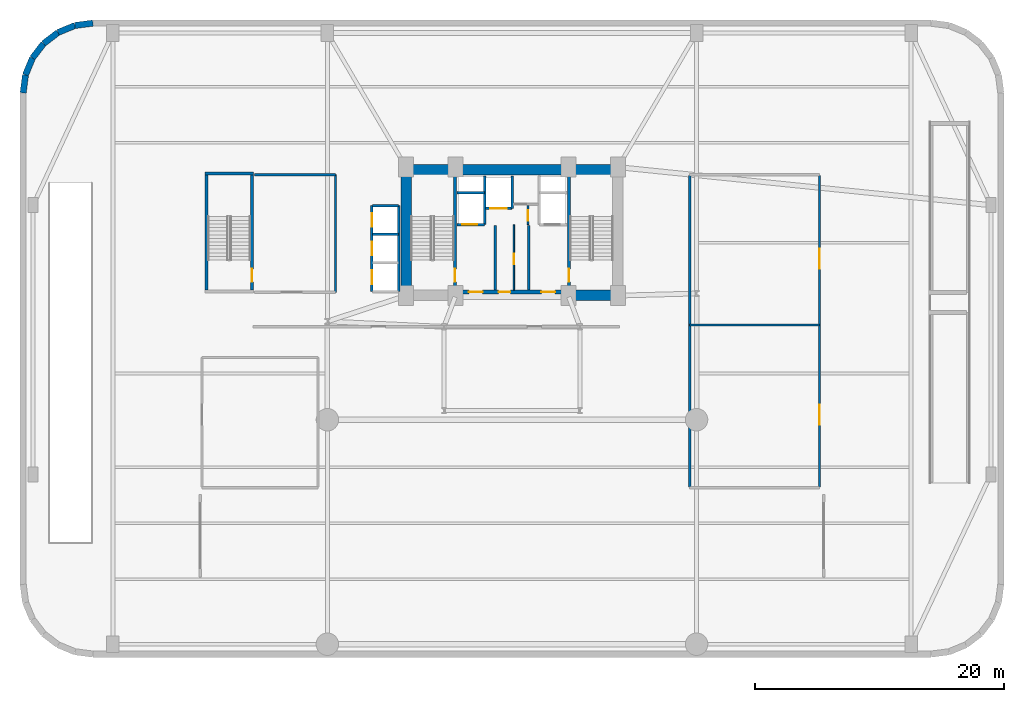
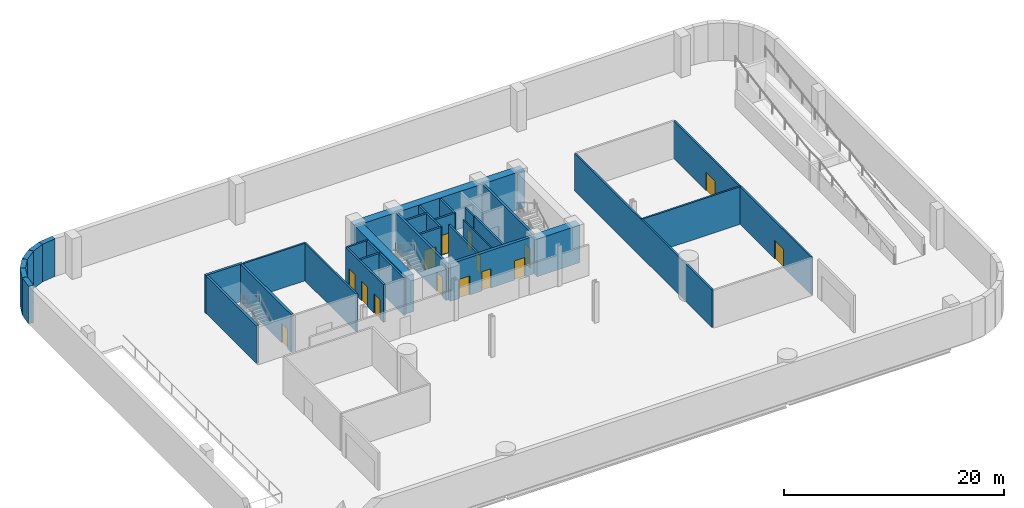
# One storey, part 3 of 8: 33 walls, 15 doors, 15 openings.
"""IFC4 building model written with IfcOpenShell, lengths in metres."""

from ifc_helpers import new_model, si_unit, direction, frame, frame_2d, origin, place, context, subcontext, project, spatial, rectangle, extrude, material, layer, layer_set, type_object, element, fill, save


model = new_model("IFC4")

# Units and contexts
model_context = context("Model", 3, precision=1e-05, world=origin(), true_north=direction((0.0, 1.0)))
body_context = subcontext(model_context, "Body", "Model", "MODEL_VIEW")
ifc_project = project(units=[si_unit("LENGTHUNIT", "METRE"), si_unit("AREAUNIT", "SQUARE_METRE"), si_unit("VOLUMEUNIT", "CUBIC_METRE"), si_unit("PLANEANGLEUNIT", "RADIAN"), si_unit("MASSUNIT", "GRAM", prefix="KILO")], contexts=[model_context])

# Site, building, storey
site_placement = place(None, origin())
site = spatial("IfcSite", under=ifc_project, at=site_placement, CompositionType="ELEMENT")
building_placement = place(site_placement, origin())
building = spatial("IfcBuilding", under=site, at=building_placement, Name="Varnelok Gate Tower", CompositionType="ELEMENT")
storey_placement = place(building_placement, frame((0.0, 0.0, -4.5)))
storey = spatial("IfcBuildingStorey", under=building, at=storey_placement, Name="B01", CompositionType="ELEMENT", Elevation=-4.5)

# Walls
ifc_material_1 = material(Name="Gypsum Plasterboard Acoustic Partition", Category="gypsum")
ifc_layer_1 = layer(ifc_material_1, 0.179931640625)
ifc_layer_set_1 = layer_set([ifc_layer_1], Name="Gypsum Plasterboard Acoustic Partition")
wall_type_1 = type_object("IfcWallType", Name="PW-CORR-180", PredefinedType="PARTITIONING", material=ifc_layer_set_1)
wall_1_placement = place(storey_placement, frame((25.050048828125, 29.02001953125, 0.0), z_axis=(0.0, 0.0, 1.0), x_axis=(0.0, 1.0, 0.0)))
element("IfcWall", 1, at=wall_1_placement, inside=storey, type_object=wall_type_1, Name="Interior Partition", PredefinedType="PARTITIONING", context=body_context, shape_type="SweptSolid", body=[
    extrude(rectangle(XDim=9.429931640625, YDim=0.179931640625, at=frame_2d((4.71484375, 0.0))), origin(), (0.0, 0.0, 1.0), 4.179931640625),
])
wall_2_placement = place(storey_placement, frame((18.550048828125, 38.449951171875, 0.0), z_axis=(0.0, 0.0, 1.0), x_axis=(1.0, 0.0, 0.0)))
element("IfcWall", 2, at=wall_2_placement, inside=storey, type_object=wall_type_1, Name="Interior Partition", PredefinedType="PARTITIONING", context=body_context, shape_type="SweptSolid", body=[
    extrude(rectangle(XDim=6.5, YDim=0.179931640625, at=frame_2d((3.25, 0.0))), origin(), (0.0, 0.0, 1.0), 4.179931640625),
])

# Wall, openings, doors
wall_3_placement = place(storey_placement, frame((63.85009765625, 13.39990234375, 0.0), z_axis=(0.0, 0.0, 1.0), x_axis=(0.0, 1.0, 0.0)))
wall_3 = element("IfcWall", 3, at=wall_3_placement, inside=storey, type_object=wall_type_1, Name="Interior Partition", PredefinedType="PARTITIONING", context=body_context, shape_type="SweptSolid", body=[
    extrude(rectangle(XDim=25.0, YDim=0.179931640625, at=frame_2d((12.5, 0.0))), origin(), (0.0, 0.0, 1.0), 4.179931640625),
])
opening_1_placement = place(wall_3_placement, frame((5.0, 0.0, 0.0)))
opening_1 = element("IfcOpeningElement", 4, at=opening_1_placement, cuts=wall_3, Name="Opening D-PL", PredefinedType="OPENING", context=body_context, shape_type="SweptSolid", body=[
    extrude(rectangle(XDim=1.60009765625, YDim=2.050048828125, at=frame_2d((0.800048828125, 1.02490234375))), frame((0.0, 0.099853515625, 0.0), z_axis=(0.0, -1.0, 0.0), x_axis=(1.0, 0.0, 0.0)), (0.0, 0.0, 1.0), 0.199951171875),
])
opening_2_placement = place(wall_3_placement, frame((17.5, 0.0, 0.0)))
opening_2 = element("IfcOpeningElement", 5, at=opening_2_placement, cuts=wall_3, Name="Opening D-PL", PredefinedType="OPENING", context=body_context, shape_type="SweptSolid", body=[
    extrude(rectangle(XDim=1.60009765625, YDim=2.050048828125, at=frame_2d((0.800048828125, 1.02490234375))), frame((0.0, 0.099853515625, 0.0), z_axis=(0.0, -1.0, 0.0), x_axis=(1.0, 0.0, 0.0)), (0.0, 0.0, 1.0), 0.199951171875),
])
ifc_material_2 = material(Name="Galvanized Steel Grade S350GD", Category="steel")
door_type_1 = type_object("IfcDoorType", Name="DR-PLANT-1600", OperationType="DOUBLE_DOOR_SINGLE_SWING", PredefinedType="DOOR", material=ifc_material_2)
door_1_placement = place(opening_1_placement, origin())
door_1 = element("IfcDoor", 6, at=door_1_placement, inside=storey, type_object=door_type_1, Name="B01 Substation Door", OperationType="DOUBLE_DOOR_SINGLE_SWING", OverallHeight=2.050048828125, OverallWidth=1.60009765625, PredefinedType="DOOR", context=body_context, shape_type="SweptSolid", body=[
    extrude(rectangle(XDim=1.60009765625, YDim=2.050048828125, at=frame_2d((0.800048828125, 1.02490234375))), frame((0.0, 0.02490234375, 0.0), z_axis=(0.0, -1.0, 0.0), x_axis=(1.0, 0.0, 0.0)), (0.0, 0.0, 1.0), 0.050048828125),
])
fill(opening_1, door_1)
door_2_placement = place(opening_2_placement, origin())
door_2 = element("IfcDoor", 7, at=door_2_placement, inside=storey, type_object=door_type_1, Name="B01 Generator Room Door", OperationType="DOUBLE_DOOR_SINGLE_SWING", OverallHeight=2.050048828125, OverallWidth=1.60009765625, PredefinedType="DOOR", context=body_context, shape_type="SweptSolid", body=[
    extrude(rectangle(XDim=1.60009765625, YDim=2.050048828125, at=frame_2d((0.800048828125, 1.02490234375))), frame((0.0, 0.02490234375, 0.0), z_axis=(0.0, -1.0, 0.0), x_axis=(1.0, 0.0, 0.0)), (0.0, 0.0, 1.0), 0.050048828125),
])
fill(opening_2, door_2)

# Walls
wall_4_placement = place(storey_placement, frame((53.449951171875, 26.39990234375, 0.0), z_axis=(0.0, 0.0, 1.0), x_axis=(1.0, 0.0, 0.0)))
element("IfcWall", 8, at=wall_4_placement, inside=storey, type_object=wall_type_1, Name="Interior Partition", PredefinedType="PARTITIONING", context=body_context, shape_type="SweptSolid", body=[
    extrude(rectangle(XDim=10.400146484375, YDim=0.179931640625, at=frame_2d((5.2001953125, 0.0))), origin(), (0.0, 0.0, 1.0), 4.179931640625),
])
wall_5_placement = place(storey_placement, frame((53.449951171875, 13.39990234375, 0.0), z_axis=(0.0, 0.0, 1.0), x_axis=(0.0, 1.0, 0.0)))
element("IfcWall", 9, at=wall_5_placement, inside=storey, type_object=wall_type_1, Name="Interior Partition", PredefinedType="PARTITIONING", context=body_context, shape_type="SweptSolid", body=[
    extrude(rectangle(XDim=25.0, YDim=0.179931640625, at=frame_2d((12.5, 0.0))), origin(), (0.0, 0.0, 1.0), 4.179931640625),
])

# Wall, opening, door
ifc_layer_2 = layer(ifc_material_1, 0.125)
ifc_layer_set_2 = layer_set([ifc_layer_2], Name="Gypsum Plasterboard Acoustic Partition")
wall_type_2 = type_object("IfcWallType", Name="PW-PART-125", PredefinedType="PARTITIONING", material=ifc_layer_set_2)
wall_6_placement = place(storey_placement, frame((39.35009765625, 29.199951171875, 0.0), z_axis=(0.0, 0.0, 1.0), x_axis=(0.0, 1.0, 0.0)))
wall_6 = element("IfcWall", 10, at=wall_6_placement, inside=storey, type_object=wall_type_2, Name="Interior Partition", PredefinedType="PARTITIONING", context=body_context, shape_type="SweptSolid", body=[
    extrude(rectangle(XDim=5.219970703125, YDim=0.125, at=frame_2d((2.60986328125, 0.0))), origin(), (0.0, 0.0, 1.0), 4.179931640625),
])
opening_3_placement = place(wall_6_placement, frame((2.050048828125, 0.0, 0.0)))
opening_3 = element("IfcOpeningElement", 11, at=opening_3_placement, cuts=wall_6, Name="Opening D-RS", PredefinedType="OPENING", context=body_context, shape_type="SweptSolid", body=[
    extrude(rectangle(XDim=0.85009765625, YDim=2.050048828125, at=frame_2d((0.425048828125, 1.02490234375))), frame((0.0, 0.072509765625, 0.0), z_axis=(0.0, -1.0, 0.0), x_axis=(1.0, 0.0, 0.0)), (0.0, 0.0, 1.0), 0.14501953125),
])
door_type_2 = type_object("IfcDoorType", Name="DR-RISER-850", OperationType="NOTDEFINED", PredefinedType="DOOR", material=ifc_material_2)
door_3_placement = place(opening_3_placement, origin())
door_3 = element("IfcDoor", 12, at=door_3_placement, inside=storey, type_object=door_type_2, Name="B01 Housekeeping Linen Door", OperationType="SINGLE_SWING_RIGHT", OverallHeight=2.050048828125, OverallWidth=0.85009765625, PredefinedType="DOOR", context=body_context, shape_type="SweptSolid", body=[
    extrude(rectangle(XDim=0.85009765625, YDim=2.050048828125, at=frame_2d((0.425048828125, 1.02490234375))), frame((0.0, 0.02490234375, 0.0), z_axis=(0.0, -1.0, 0.0), x_axis=(1.0, 0.0, 0.0)), (0.0, 0.0, 1.0), 0.050048828125),
])
fill(opening_3, door_3)

ifc_layer_3 = layer(ifc_material_1, 0.14990234375)
ifc_layer_set_3 = layer_set([ifc_layer_3], Name="Gypsum Plasterboard Acoustic Partition")
wall_type_3 = type_object("IfcWallType", Name="PW-PART-150", PredefinedType="PARTITIONING", material=ifc_layer_set_3)
wall_7_placement = place(storey_placement, frame((40.47998046875, 34.43994140625, 0.0), z_axis=(0.0, 0.0, 1.0), x_axis=(0.0, 1.0, 0.0)))
wall_7 = element("IfcWall", 13, at=wall_7_placement, inside=storey, type_object=wall_type_3, Name="B01 Telecoms Closet West Wall", PredefinedType="PARTITIONING", context=body_context, shape_type="SweptSolid", body=[
    extrude(rectangle(XDim=1.52001953125, YDim=0.14990234375, at=frame_2d((0.760009765625, 0.0))), origin(), (0.0, 0.0, 1.0), 4.179931640625),
])
opening_4_placement = place(wall_7_placement, frame((0.320068359375, 0.0, 0.0)))
opening_4 = element("IfcOpeningElement", 14, at=opening_4_placement, cuts=wall_7, Name="Opening D-RS", PredefinedType="OPENING", context=body_context, shape_type="SweptSolid", body=[
    extrude(rectangle(XDim=0.85009765625, YDim=2.050048828125, at=frame_2d((0.425048828125, 1.02490234375))), frame((0.0, 0.0849609375, 0.0), z_axis=(0.0, -1.0, 0.0), x_axis=(1.0, 0.0, 0.0)), (0.0, 0.0, 1.0), 0.169921875),
])
door_4_placement = place(opening_4_placement, origin())
door_4 = element("IfcDoor", 15, at=door_4_placement, inside=storey, type_object=door_type_2, Name="B01 Telecoms Closet Door", OperationType="SINGLE_SWING_LEFT", OverallHeight=2.050048828125, OverallWidth=0.85009765625, PredefinedType="DOOR", context=body_context, shape_type="SweptSolid", body=[
    extrude(rectangle(XDim=0.85009765625, YDim=2.050048828125, at=frame_2d((0.425048828125, 1.02490234375))), frame((0.0, 0.02490234375, 0.0), z_axis=(0.0, -1.0, 0.0), x_axis=(1.0, 0.0, 0.0)), (0.0, 0.0, 1.0), 0.050048828125),
])
fill(opening_4, door_4)

# Walls
ifc_material_3 = material(Name="Concrete C35/45", Category="concrete")
ifc_layer_4 = layer(ifc_material_3, 0.199951171875)
ifc_layer_set_4 = layer_set([ifc_layer_4], Name="Concrete C35/45")
wall_type_4 = type_object("IfcWallType", Name="PW-SHAFT-200", PredefinedType="PARTITIONING", material=ifc_layer_set_4)
for number, where, z_axis, x_axis, name in (
    (16, (37.860107421875, 29.199951171875, 0.0), (0.0, 0.0, 1.0), (0.0, 1.0, 0.0), "B01 West FF Lobby Rated Wall"),
    (17, (40.5400390625, 29.199951171875, 0.0), (0.0, 0.0, 1.0), (0.0, 1.0, 0.0), "B01 East FF Lobby Rated Wall"),
):
    element("IfcWall", number, at=place(storey_placement, frame(where, z_axis=z_axis, x_axis=x_axis)), inside=storey, type_object=wall_type_4, Name=name, PredefinedType="PARTITIONING", context=body_context, shape_type="SweptSolid", body=[
        extrude(rectangle(XDim=5.179931640625, YDim=0.199951171875, at=frame_2d((2.58984375, 0.0))), origin(), (0.0, 0.0, 1.0), 4.179931640625),
    ])

# Wall, opening, door
wall_8_placement = place(storey_placement, frame((34.800048828125, 34.43994140625, 0.0), z_axis=(0.0, 0.0, 1.0), x_axis=(1.0, 0.0, 0.0)))
wall_8 = element("IfcWall", 18, at=wall_8_placement, inside=storey, type_object=wall_type_4, Name="B01 FF1 Shaft Front Wall", PredefinedType="PARTITIONING", context=body_context, shape_type="SweptSolid", body=[
    extrude(rectangle(XDim=2.179931640625, YDim=0.199951171875, at=frame_2d((1.08984375, 0.0))), origin(), (0.0, 0.0, 1.0), 4.179931640625),
])
opening_5_placement = place(wall_8_placement, frame((0.419921875, 0.0, 0.0)))
opening_5 = element("IfcOpeningElement", 19, at=opening_5_placement, cuts=wall_8, Name="Opening LD-FF1", PredefinedType="OPENING", context=body_context, shape_type="SweptSolid", body=[
    extrude(rectangle(XDim=1.199951171875, YDim=2.199951171875, at=frame_2d((0.60009765625, 1.10009765625))), frame((0.0, 0.10986328125, 0.0), z_axis=(0.0, -1.0, 0.0), x_axis=(1.0, 0.0, 0.0)), (0.0, 0.0, 1.0), 0.219970703125),
])
door_type_3 = type_object("IfcDoorType", Name="DR-LIFT-FF1200", OperationType="SLIDING_TO_LEFT", PredefinedType="DOOR", material=ifc_material_2)
door_5_placement = place(opening_5_placement, origin())
door_5 = element("IfcDoor", 20, at=door_5_placement, inside=storey, type_object=door_type_3, Name="B01 Firefighting Lift Landing Door LD-FF1", OperationType="SLIDING_TO_LEFT", OverallHeight=2.199951171875, OverallWidth=1.199951171875, PredefinedType="DOOR", context=body_context, shape_type="SweptSolid", body=[
    extrude(rectangle(XDim=1.199951171875, YDim=2.199951171875, at=frame_2d((0.60009765625, 1.10009765625))), frame((0.0, 0.02490234375, 0.0), z_axis=(0.0, -1.0, 0.0), x_axis=(1.0, 0.0, 0.0)), (0.0, 0.0, 1.0), 0.050048828125),
])
fill(opening_5, door_5)

# Walls
wall_9_placement = place(storey_placement, frame((34.800048828125, 36.97998046875, 0.0), z_axis=(0.0, 0.0, 1.0), x_axis=(1.0, 0.0, 0.0)))
element("IfcWall", 21, at=wall_9_placement, inside=storey, type_object=wall_type_4, Name="B01 FF1 Shaft North Wall", PredefinedType="PARTITIONING", context=body_context, shape_type="SweptSolid", body=[
    extrude(rectangle(XDim=2.179931640625, YDim=0.199951171875, at=frame_2d((1.08984375, 0.0))), origin(), (0.0, 0.0, 1.0), 4.179931640625),
])
wall_10_placement = place(storey_placement, frame((37.0, 34.43994140625, 0.0), z_axis=(0.0, 0.0, 1.0), x_axis=(0.0, 1.0, 0.0)))
element("IfcWall", 22, at=wall_10_placement, inside=storey, type_object=wall_type_4, Name="B01 FF1 Shaft Side Wall", PredefinedType="PARTITIONING", context=body_context, shape_type="SweptSolid", body=[
    extrude(rectangle(XDim=3.900146484375, YDim=0.199951171875, at=frame_2d((1.9501953125, 0.0))), origin(), (0.0, 0.0, 1.0), 4.179931640625),
])

# Wall, opening, door
wall_11_placement = place(storey_placement, frame((37.06005859375, 35.75, 0.0), z_axis=(0.0, 0.0, 1.0), x_axis=(1.0, 0.0, 0.0)))
wall_11 = element("IfcWall", 23, at=wall_11_placement, inside=storey, type_object=wall_type_4, Name="B01 SV1 Shaft Front Wall", PredefinedType="PARTITIONING", context=body_context, shape_type="SweptSolid", body=[
    extrude(rectangle(XDim=2.119873046875, YDim=0.199951171875, at=frame_2d((1.06005859375, 0.0))), origin(), (0.0, 0.0, 1.0), 4.179931640625),
])
opening_6_placement = place(wall_11_placement, frame((0.39990234375, 0.0, 0.0)))
opening_6 = element("IfcOpeningElement", 24, at=opening_6_placement, cuts=wall_11, Name="Opening LD-SV1", PredefinedType="OPENING", context=body_context, shape_type="SweptSolid", body=[
    extrude(rectangle(XDim=1.300048828125, YDim=2.199951171875, at=frame_2d((0.64990234375, 1.10009765625))), frame((0.0, 0.10986328125, 0.0), z_axis=(0.0, -1.0, 0.0), x_axis=(1.0, 0.0, 0.0)), (0.0, 0.0, 1.0), 0.219970703125),
])
door_type_4 = type_object("IfcDoorType", Name="DR-LIFT-SV1300", OperationType="SLIDING_TO_LEFT", PredefinedType="DOOR", material=ifc_material_2)
door_6_placement = place(opening_6_placement, origin())
door_6 = element("IfcDoor", 25, at=door_6_placement, inside=storey, type_object=door_type_4, Name="B01 Service Lift Landing Door LD-SV1", OperationType="SLIDING_TO_LEFT", OverallHeight=2.199951171875, OverallWidth=1.300048828125, PredefinedType="DOOR", context=body_context, shape_type="SweptSolid", body=[
    extrude(rectangle(XDim=1.300048828125, YDim=2.199951171875, at=frame_2d((0.64990234375, 1.10009765625))), frame((0.0, 0.02490234375, 0.0), z_axis=(0.0, -1.0, 0.0), x_axis=(1.0, 0.0, 0.0)), (0.0, 0.0, 1.0), 0.050048828125),
])
fill(opening_6, door_6)

# Walls
wall_12_placement = place(storey_placement, frame((39.219970703125, 35.75, 0.0), z_axis=(0.0, 0.0, 1.0), x_axis=(0.0, 1.0, 0.0)))
element("IfcWall", 26, at=wall_12_placement, inside=storey, type_object=wall_type_4, Name="B01 SV1 Shaft East Wall", PredefinedType="PARTITIONING", context=body_context, shape_type="SweptSolid", body=[
    extrude(rectangle(XDim=2.590087890625, YDim=0.199951171875, at=frame_2d((1.294921875, 0.0))), origin(), (0.0, 0.0, 1.0), 4.179931640625),
])
wall_13_placement = place(storey_placement, frame((28.02001953125, 33.675048828125, 0.0), z_axis=(0.0, 0.0, 1.0), x_axis=(1.0, 0.0, 0.0)))
element("IfcWall", 27, at=wall_13_placement, inside=storey, type_object=wall_type_4, Name="B01 PL2 Divider", PredefinedType="PARTITIONING", context=body_context, shape_type="SweptSolid", body=[
    extrude(rectangle(XDim=2.06005859375, YDim=0.199951171875, at=frame_2d((1.030029296875, 0.0))), origin(), (0.0, 0.0, 1.0), 4.179931640625),
])
wall_14_placement = place(storey_placement, frame((28.0, 35.969970703125, 0.0), z_axis=(0.0, 0.0, 1.0), x_axis=(1.0, 0.0, 0.0)))
element("IfcWall", 28, at=wall_14_placement, inside=storey, type_object=wall_type_4, Name="B01 PL Bank North Wall", PredefinedType="PARTITIONING", context=body_context, shape_type="SweptSolid", body=[
    extrude(rectangle(XDim=2.10009765625, YDim=0.199951171875, at=frame_2d((1.050048828125, 0.0))), origin(), (0.0, 0.0, 1.0), 4.179931640625),
])
wall_15_placement = place(storey_placement, frame((30.1201171875, 29.080078125, 0.0), z_axis=(0.0, 0.0, 1.0), x_axis=(0.0, 1.0, 0.0)))
element("IfcWall", 29, at=wall_15_placement, inside=storey, type_object=wall_type_4, Name="B01 PL Bank Back Wall", PredefinedType="PARTITIONING", context=body_context, shape_type="SweptSolid", body=[
    extrude(rectangle(XDim=6.889892578125, YDim=0.199951171875, at=frame_2d((3.44482421875, 0.0))), origin(), (0.0, 0.0, 1.0), 4.179931640625),
])

# Wall, openings, doors
wall_16_placement = place(storey_placement, frame((27.9599609375, 29.080078125, 0.0), z_axis=(0.0, 0.0, 1.0), x_axis=(0.0, 1.0, 0.0)))
wall_16 = element("IfcWall", 30, at=wall_16_placement, inside=storey, type_object=wall_type_4, Name="B01 PL Bank Front Wall", PredefinedType="PARTITIONING", context=body_context, shape_type="SweptSolid", body=[
    extrude(rectangle(XDim=6.889892578125, YDim=0.199951171875, at=frame_2d((3.44482421875, 0.0))), origin(), (0.0, 0.0, 1.0), 4.179931640625),
])
opening_7_placement = place(wall_16_placement, frame((0.590087890625, 0.0, 0.0)))
opening_7 = element("IfcOpeningElement", 31, at=opening_7_placement, cuts=wall_16, Name="Opening LD-PL1", PredefinedType="OPENING", context=body_context, shape_type="SweptSolid", body=[
    extrude(rectangle(XDim=1.10009765625, YDim=2.14990234375, at=frame_2d((0.550048828125, 1.074951171875))), frame((0.0, 0.10986328125, 0.0), z_axis=(0.0, -1.0, 0.0), x_axis=(1.0, 0.0, 0.0)), (0.0, 0.0, 1.0), 0.219970703125),
])
opening_8_placement = place(wall_16_placement, frame((2.889892578125, 0.0, 0.0)))
opening_8 = element("IfcOpeningElement", 32, at=opening_8_placement, cuts=wall_16, Name="Opening LD-PL2", PredefinedType="OPENING", context=body_context, shape_type="SweptSolid", body=[
    extrude(rectangle(XDim=1.10009765625, YDim=2.14990234375, at=frame_2d((0.550048828125, 1.074951171875))), frame((0.0, 0.10986328125, 0.0), z_axis=(0.0, -1.0, 0.0), x_axis=(1.0, 0.0, 0.0)), (0.0, 0.0, 1.0), 0.219970703125),
])
opening_9_placement = place(wall_16_placement, frame((5.18994140625, 0.0, 0.0)))
opening_9 = element("IfcOpeningElement", 33, at=opening_9_placement, cuts=wall_16, Name="Opening LD-PL3", PredefinedType="OPENING", context=body_context, shape_type="SweptSolid", body=[
    extrude(rectangle(XDim=1.10009765625, YDim=2.14990234375, at=frame_2d((0.550048828125, 1.074951171875))), frame((0.0, 0.10986328125, 0.0), z_axis=(0.0, -1.0, 0.0), x_axis=(1.0, 0.0, 0.0)), (0.0, 0.0, 1.0), 0.219970703125),
])
door_type_5 = type_object("IfcDoorType", Name="DR-LIFT-PAX1100", OperationType="SLIDING_TO_LEFT", PredefinedType="DOOR", material=ifc_material_2)
door_7_placement = place(opening_7_placement, origin())
door_7 = element("IfcDoor", 34, at=door_7_placement, inside=storey, type_object=door_type_5, Name="B01 Passenger Lift Landing Door LD-PL1", OperationType="SLIDING_TO_LEFT", OverallHeight=2.14990234375, OverallWidth=1.10009765625, PredefinedType="DOOR", context=body_context, shape_type="SweptSolid", body=[
    extrude(rectangle(XDim=1.10009765625, YDim=2.14990234375, at=frame_2d((0.550048828125, 1.074951171875))), frame((0.0, 0.02490234375, 0.0), z_axis=(0.0, -1.0, 0.0), x_axis=(1.0, 0.0, 0.0)), (0.0, 0.0, 1.0), 0.050048828125),
])
fill(opening_7, door_7)
door_8_placement = place(opening_8_placement, origin())
door_8 = element("IfcDoor", 35, at=door_8_placement, inside=storey, type_object=door_type_5, Name="B01 Passenger Lift Landing Door LD-PL2", OperationType="SLIDING_TO_LEFT", OverallHeight=2.14990234375, OverallWidth=1.10009765625, PredefinedType="DOOR", context=body_context, shape_type="SweptSolid", body=[
    extrude(rectangle(XDim=1.10009765625, YDim=2.14990234375, at=frame_2d((0.550048828125, 1.074951171875))), frame((0.0, 0.02490234375, 0.0), z_axis=(0.0, -1.0, 0.0), x_axis=(1.0, 0.0, 0.0)), (0.0, 0.0, 1.0), 0.050048828125),
])
fill(opening_8, door_8)
door_9_placement = place(opening_9_placement, origin())
door_9 = element("IfcDoor", 36, at=door_9_placement, inside=storey, type_object=door_type_5, Name="B01 Passenger Lift Landing Door LD-PL3", OperationType="SLIDING_TO_LEFT", OverallHeight=2.14990234375, OverallWidth=1.10009765625, PredefinedType="DOOR", context=body_context, shape_type="SweptSolid", body=[
    extrude(rectangle(XDim=1.10009765625, YDim=2.14990234375, at=frame_2d((0.550048828125, 1.074951171875))), frame((0.0, 0.02490234375, 0.0), z_axis=(0.0, -1.0, 0.0), x_axis=(1.0, 0.0, 0.0)), (0.0, 0.0, 1.0), 0.050048828125),
])
fill(opening_9, door_9)

# Walls
ifc_material_4 = material(Name="Concrete C70/85", Category="concrete")
ifc_layer_5 = layer(ifc_material_4, 0.85009765625)
ifc_layer_set_5 = layer_set([ifc_layer_5], Name="Concrete C70/85")
wall_type_5 = type_object("IfcWallType", Name="SW-CORE-850", PredefinedType="SHEAR", material=ifc_layer_set_5)
wall_17_placement = place(storey_placement, frame((30.280029296875, 38.844970703125, 0.0), z_axis=(0.0, 0.0, 1.0), x_axis=(1.0, 0.0, 0.0)))
element("IfcWall", 37, at=wall_17_placement, inside=storey, type_object=wall_type_5, Name="B01 Rear Core North Shear Wall", PredefinedType="SHEAR", context=body_context, shape_type="SweptSolid", body=[
    extrude(rectangle(XDim=17.840087890625, YDim=0.85009765625, at=frame_2d((8.919921875, 0.0))), origin(), (0.0, 0.0, 1.0), 4.179931640625),
])
wall_18_placement = place(storey_placement, frame((30.705078125, 29.199951171875, 0.0), z_axis=(0.0, 0.0, 1.0), x_axis=(0.0, 1.0, 0.0)))
element("IfcWall", 38, at=wall_18_placement, inside=storey, type_object=wall_type_5, Name="B01 Rear Core West Shear Wall", PredefinedType="SHEAR", context=body_context, shape_type="SweptSolid", body=[
    extrude(rectangle(XDim=9.219970703125, YDim=0.85009765625, at=frame_2d((4.60986328125, 0.0))), origin(), (0.0, 0.0, 1.0), 4.179931640625),
])
wall_19_placement = place(storey_placement, frame((43.60009765625, 28.77490234375, 0.0), z_axis=(0.0, 0.0, 1.0), x_axis=(1.0, 0.0, 0.0)))
element("IfcWall", 39, at=wall_19_placement, inside=storey, type_object=wall_type_5, Name="B01 Rear Core South-East Shear Wall", PredefinedType="SHEAR", context=body_context, shape_type="SweptSolid", body=[
    extrude(rectangle(XDim=4.52001953125, YDim=0.85009765625, at=frame_2d((2.260009765625, 0.0))), origin(), (0.0, 0.0, 1.0), 4.179931640625),
])
ifc_material_5 = material(Name="Concrete C50/60", Category="concrete")
ifc_layer_6 = layer(ifc_material_5, 0.5)
ifc_layer_set_6 = layer_set([ifc_layer_6], Name="Concrete C50/60")
wall_type_6 = type_object("IfcWallType", Name="SW-RET-500", PredefinedType="SOLIDWALL", material=ifc_layer_set_6)
for number, where, z_axis, x_axis, name in (
    (40, (4.150634765625, 50.4091796875, 0.0), (0.0, 0.0, 1.0), (0.991436666421, 0.130588423975, 0.0), "B01 Perimeter Retaining Wall 23"),
    (41, (2.800048828125, 49.849609375, 0.0), (0.0, 0.0, 1.0), (0.923845840288, 0.382764762462, 0.0), "B01 Perimeter Retaining Wall 24"),
    (42, (1.64013671875, 48.959716796875, 0.0), (0.0, 0.0, 1.0), (0.793399352173, 0.608701460465, 0.0), "B01 Perimeter Retaining Wall 25"),
):
    element("IfcWall", number, at=place(storey_placement, frame(where, z_axis=z_axis, x_axis=x_axis)), inside=storey, type_object=wall_type_6, Name=name, PredefinedType="SOLIDWALL", context=body_context, shape_type="SweptSolid", body=[
        extrude(rectangle(XDim=1.4619140625, YDim=0.5, at=frame_2d((0.73095703125, 0.0))), origin(), (0.0, 0.0, 1.0), 4.179931640625),
    ])
wall_20_placement = place(storey_placement, frame((0.750244140625, 47.800048828125, 0.0), z_axis=(0.0, 0.0, 1.0), x_axis=(0.608782117751, 0.793337464833, 0.0)))
element("IfcWall", 43, at=wall_20_placement, inside=storey, type_object=wall_type_6, Name="B01 Perimeter Retaining Wall 26", PredefinedType="SOLIDWALL", context=body_context, shape_type="SweptSolid", body=[
    extrude(rectangle(XDim=1.461669921875, YDim=0.5, at=frame_2d((0.73095703125, 0.0))), origin(), (0.0, 0.0, 1.0), 4.179931640625),
])
for number, where, z_axis, x_axis, name in (
    (44, (0.19091796875, 46.449462890625, 0.0), (0.0, 0.0, 1.0), (0.382622215492, 0.923904886994, 0.0), "B01 Perimeter Retaining Wall 27"),
    (45, (0.0, 45.0, 0.0), (0.0, 0.0, 1.0), (0.130588423975, 0.991436666421, 0.0), "B01 Perimeter Retaining Wall 28"),
):
    element("IfcWall", number, at=place(storey_placement, frame(where, z_axis=z_axis, x_axis=x_axis)), inside=storey, type_object=wall_type_6, Name=name, PredefinedType="SOLIDWALL", context=body_context, shape_type="SweptSolid", body=[
        extrude(rectangle(XDim=1.4619140625, YDim=0.5, at=frame_2d((0.73095703125, 0.0))), origin(), (0.0, 0.0, 1.0), 4.179931640625),
    ])

# Wall, opening, door
ifc_material_6 = material(Name="Concrete C60/75", Category="concrete")
ifc_layer_7 = layer(ifc_material_6, 0.25)
ifc_layer_set_7 = layer_set([ifc_layer_7], Name="Concrete C60/75")
wall_type_7 = type_object("IfcWallType", Name="SW-SHAFT-250", PredefinedType="SHEAR", material=ifc_layer_set_7)
wall_21_placement = place(storey_placement, frame((34.639892578125, 29.199951171875, 0.0), z_axis=(0.0, 0.0, 1.0), x_axis=(0.0, 1.0, 0.0)))
wall_21 = element("IfcWall", 46, at=wall_21_placement, inside=storey, type_object=wall_type_7, Name="B01 Stair ST-1 East Shear Wall", PredefinedType="SHEAR", context=body_context, shape_type="SweptSolid", body=[
    extrude(rectangle(XDim=9.219970703125, YDim=0.25, at=frame_2d((4.60986328125, 0.0))), origin(), (0.0, 0.0, 1.0), 4.179931640625),
])
opening_10_placement = place(wall_21_placement, frame((0.64990234375, 0.0, 0.0)))
opening_10 = element("IfcOpeningElement", 47, at=opening_10_placement, cuts=wall_21, Name="Opening D-ST", PredefinedType="OPENING", context=body_context, shape_type="SweptSolid", body=[
    extrude(rectangle(XDim=1.050048828125, YDim=2.14990234375, at=frame_2d((0.52490234375, 1.074951171875))), frame((0.0, 0.135009765625, 0.0), z_axis=(0.0, -1.0, 0.0), x_axis=(1.0, 0.0, 0.0)), (0.0, 0.0, 1.0), 0.27001953125),
])
door_type_6 = type_object("IfcDoorType", Name="DR-STAIR-1050", OperationType="NOTDEFINED", PredefinedType="DOOR", material=ifc_material_2)
door_10_placement = place(opening_10_placement, origin())
door_10 = element("IfcDoor", 48, at=door_10_placement, inside=storey, type_object=door_type_6, Name="B01 Exit Stair ST-1 Fire Door", OperationType="SINGLE_SWING_LEFT", OverallHeight=2.14990234375, OverallWidth=1.050048828125, PredefinedType="DOOR", context=body_context, shape_type="SweptSolid", body=[
    extrude(rectangle(XDim=1.050048828125, YDim=2.14990234375, at=frame_2d((0.52490234375, 1.074951171875))), frame((0.0, 0.02490234375, 0.0), z_axis=(0.0, -1.0, 0.0), x_axis=(1.0, 0.0, 0.0)), (0.0, 0.0, 1.0), 0.050048828125),
])
fill(opening_10, door_10)

wall_22_placement = place(storey_placement, frame((43.760009765625, 29.199951171875, 0.0), z_axis=(0.0, 0.0, 1.0), x_axis=(0.0, 1.0, 0.0)))
wall_22 = element("IfcWall", 49, at=wall_22_placement, inside=storey, type_object=wall_type_7, Name="B01 Stair ST-2 West Shear Wall", PredefinedType="SHEAR", context=body_context, shape_type="SweptSolid", body=[
    extrude(rectangle(XDim=9.219970703125, YDim=0.25, at=frame_2d((4.60986328125, 0.0))), origin(), (0.0, 0.0, 1.0), 4.179931640625),
])
opening_11_placement = place(wall_22_placement, frame((0.64990234375, 0.0, 0.0)))
opening_11 = element("IfcOpeningElement", 50, at=opening_11_placement, cuts=wall_22, Name="Opening D-ST", PredefinedType="OPENING", context=body_context, shape_type="SweptSolid", body=[
    extrude(rectangle(XDim=1.050048828125, YDim=2.14990234375, at=frame_2d((0.52490234375, 1.074951171875))), frame((0.0, 0.135009765625, 0.0), z_axis=(0.0, -1.0, 0.0), x_axis=(1.0, 0.0, 0.0)), (0.0, 0.0, 1.0), 0.27001953125),
])
door_11_placement = place(opening_11_placement, origin())
door_11 = element("IfcDoor", 51, at=door_11_placement, inside=storey, type_object=door_type_6, Name="B01 Exit Stair ST-2 Fire Door", OperationType="SINGLE_SWING_RIGHT", OverallHeight=2.14990234375, OverallWidth=1.050048828125, PredefinedType="DOOR", context=body_context, shape_type="SweptSolid", body=[
    extrude(rectangle(XDim=1.050048828125, YDim=2.14990234375, at=frame_2d((0.52490234375, 1.074951171875))), frame((0.0, 0.02490234375, 0.0), z_axis=(0.0, -1.0, 0.0), x_axis=(1.0, 0.0, 0.0)), (0.0, 0.0, 1.0), 0.050048828125),
])
fill(opening_11, door_11)

# Wall
wall_23_placement = place(storey_placement, frame((14.705078125, 29.199951171875, 0.0), z_axis=(0.0, 0.0, 1.0), x_axis=(0.0, 1.0, 0.0)))
element("IfcWall", 52, at=wall_23_placement, inside=storey, type_object=wall_type_7, Name="B01 Stair ST-3 West Shear Wall", PredefinedType="SHEAR", context=body_context, shape_type="SweptSolid", body=[
    extrude(rectangle(XDim=9.219970703125, YDim=0.25, at=frame_2d((4.60986328125, 0.0))), origin(), (0.0, 0.0, 1.0), 4.179931640625),
])

# Wall, opening, door
wall_24_placement = place(storey_placement, frame((18.344970703125, 29.199951171875, 0.0), z_axis=(0.0, 0.0, 1.0), x_axis=(0.0, 1.0, 0.0)))
wall_24 = element("IfcWall", 53, at=wall_24_placement, inside=storey, type_object=wall_type_7, Name="B01 Stair ST-3 East Shear Wall", PredefinedType="SHEAR", context=body_context, shape_type="SweptSolid", body=[
    extrude(rectangle(XDim=9.219970703125, YDim=0.25, at=frame_2d((4.60986328125, 0.0))), origin(), (0.0, 0.0, 1.0), 4.179931640625),
])
opening_12_placement = place(wall_24_placement, frame((0.64990234375, 0.0, 0.0)))
opening_12 = element("IfcOpeningElement", 54, at=opening_12_placement, cuts=wall_24, Name="Opening D-ST", PredefinedType="OPENING", context=body_context, shape_type="SweptSolid", body=[
    extrude(rectangle(XDim=1.050048828125, YDim=2.14990234375, at=frame_2d((0.52490234375, 1.074951171875))), frame((0.0, 0.135009765625, 0.0), z_axis=(0.0, -1.0, 0.0), x_axis=(1.0, 0.0, 0.0)), (0.0, 0.0, 1.0), 0.27001953125),
])
door_12_placement = place(opening_12_placement, origin())
door_12 = element("IfcDoor", 55, at=door_12_placement, inside=storey, type_object=door_type_6, Name="B01 Podium Stair ST-3 Fire Door", OperationType="SINGLE_SWING_LEFT", OverallHeight=2.14990234375, OverallWidth=1.050048828125, PredefinedType="DOOR", context=body_context, shape_type="SweptSolid", body=[
    extrude(rectangle(XDim=1.050048828125, YDim=2.14990234375, at=frame_2d((0.52490234375, 1.074951171875))), frame((0.0, 0.02490234375, 0.0), z_axis=(0.0, -1.0, 0.0), x_axis=(1.0, 0.0, 0.0)), (0.0, 0.0, 1.0), 0.050048828125),
])
fill(opening_12, door_12)

# Wall
wall_25_placement = place(storey_placement, frame((14.580078125, 38.544921875, 0.0), z_axis=(0.0, 0.0, 1.0), x_axis=(1.0, 0.0, 0.0)))
element("IfcWall", 56, at=wall_25_placement, inside=storey, type_object=wall_type_7, Name="B01 Stair ST-3 North Shear Wall", PredefinedType="SHEAR", context=body_context, shape_type="SweptSolid", body=[
    extrude(rectangle(XDim=3.889892578125, YDim=0.25, at=frame_2d((1.94482421875, 0.0))), origin(), (0.0, 0.0, 1.0), 4.179931640625),
])

# Wall, openings, doors
ifc_layer_8 = layer(ifc_material_6, 0.300048828125)
ifc_layer_set_8 = layer_set([ifc_layer_8], Name="Concrete C60/75")
wall_type_8 = type_object("IfcWallType", Name="SW-SHAFT-300", PredefinedType="SHEAR", material=ifc_layer_set_8)
wall_26_placement = place(storey_placement, frame((34.800048828125, 29.050048828125, 0.0), z_axis=(0.0, 0.0, 1.0), x_axis=(1.0, 0.0, 0.0)))
wall_26 = element("IfcWall", 57, at=wall_26_placement, inside=storey, type_object=wall_type_8, Name="B01 Rear Core Central Lobby Shear Wall", PredefinedType="SHEAR", context=body_context, shape_type="SweptSolid", body=[
    extrude(rectangle(XDim=8.800048828125, YDim=0.300048828125, at=frame_2d((4.39990234375, 0.0))), origin(), (0.0, 0.0, 1.0), 4.179931640625),
])
opening_13_placement = place(wall_26_placement, frame((0.949951171875, 0.0, 0.0)))
opening_13 = element("IfcOpeningElement", 58, at=opening_13_placement, cuts=wall_26, Name="Opening D-FF", PredefinedType="OPENING", context=body_context, shape_type="SweptSolid", body=[
    extrude(rectangle(XDim=1.10009765625, YDim=2.14990234375, at=frame_2d((0.550048828125, 1.074951171875))), frame((0.0, 0.159912109375, 0.0), z_axis=(0.0, -1.0, 0.0), x_axis=(1.0, 0.0, 0.0)), (0.0, 0.0, 1.0), 0.320068359375),
])
opening_14_placement = place(wall_26_placement, frame((6.75, 0.0, 0.0)))
opening_14 = element("IfcOpeningElement", 59, at=opening_14_placement, cuts=wall_26, Name="Opening D-FF", PredefinedType="OPENING", context=body_context, shape_type="SweptSolid", body=[
    extrude(rectangle(XDim=1.10009765625, YDim=2.14990234375, at=frame_2d((0.550048828125, 1.074951171875))), frame((0.0, 0.159912109375, 0.0), z_axis=(0.0, -1.0, 0.0), x_axis=(1.0, 0.0, 0.0)), (0.0, 0.0, 1.0), 0.320068359375),
])
opening_15_placement = place(wall_26_placement, frame((3.320068359375, 0.0, 0.0)))
opening_15 = element("IfcOpeningElement", 60, at=opening_15_placement, cuts=wall_26, Name="Opening D-CR", PredefinedType="OPENING", context=body_context, shape_type="SweptSolid", body=[
    extrude(rectangle(XDim=0.949951171875, YDim=2.14990234375, at=frame_2d((0.47509765625, 1.074951171875))), frame((0.0, 0.159912109375, 0.0), z_axis=(0.0, -1.0, 0.0), x_axis=(1.0, 0.0, 0.0)), (0.0, 0.0, 1.0), 0.320068359375),
])
door_type_7 = type_object("IfcDoorType", Name="DR-CORR-950", OperationType="NOTDEFINED", PredefinedType="DOOR", material=ifc_material_2)
door_13_placement = place(opening_15_placement, origin())
door_13 = element("IfcDoor", 61, at=door_13_placement, inside=storey, type_object=door_type_7, Name="B01 Core Service Passage Door", OperationType="SINGLE_SWING_LEFT", OverallHeight=2.14990234375, OverallWidth=0.949951171875, PredefinedType="DOOR", context=body_context, shape_type="SweptSolid", body=[
    extrude(rectangle(XDim=0.949951171875, YDim=2.14990234375, at=frame_2d((0.47509765625, 1.074951171875))), frame((0.0, 0.02490234375, 0.0), z_axis=(0.0, -1.0, 0.0), x_axis=(1.0, 0.0, 0.0)), (0.0, 0.0, 1.0), 0.050048828125),
])
fill(opening_15, door_13)
door_type_8 = type_object("IfcDoorType", Name="DR-FFLOB-1100", OperationType="NOTDEFINED", PredefinedType="DOOR", material=ifc_material_2)
door_14_placement = place(opening_13_placement, origin())
door_14 = element("IfcDoor", 62, at=door_14_placement, inside=storey, type_object=door_type_8, Name="B01 West Firefighting Lobby Fire Door", OperationType="SINGLE_SWING_RIGHT", OverallHeight=2.14990234375, OverallWidth=1.10009765625, PredefinedType="DOOR", context=body_context, shape_type="SweptSolid", body=[
    extrude(rectangle(XDim=1.10009765625, YDim=2.14990234375, at=frame_2d((0.550048828125, 1.074951171875))), frame((0.0, 0.02490234375, 0.0), z_axis=(0.0, -1.0, 0.0), x_axis=(1.0, 0.0, 0.0)), (0.0, 0.0, 1.0), 0.050048828125),
])
fill(opening_13, door_14)
door_15_placement = place(opening_14_placement, origin())
door_15 = element("IfcDoor", 63, at=door_15_placement, inside=storey, type_object=door_type_8, Name="B01 East Firefighting Lobby Fire Door", OperationType="SINGLE_SWING_LEFT", OverallHeight=2.14990234375, OverallWidth=1.10009765625, PredefinedType="DOOR", context=body_context, shape_type="SweptSolid", body=[
    extrude(rectangle(XDim=1.10009765625, YDim=2.14990234375, at=frame_2d((0.550048828125, 1.074951171875))), frame((0.0, 0.02490234375, 0.0), z_axis=(0.0, -1.0, 0.0), x_axis=(1.0, 0.0, 0.0)), (0.0, 0.0, 1.0), 0.050048828125),
])
fill(opening_14, door_15)

save(model, "model.ifc")
